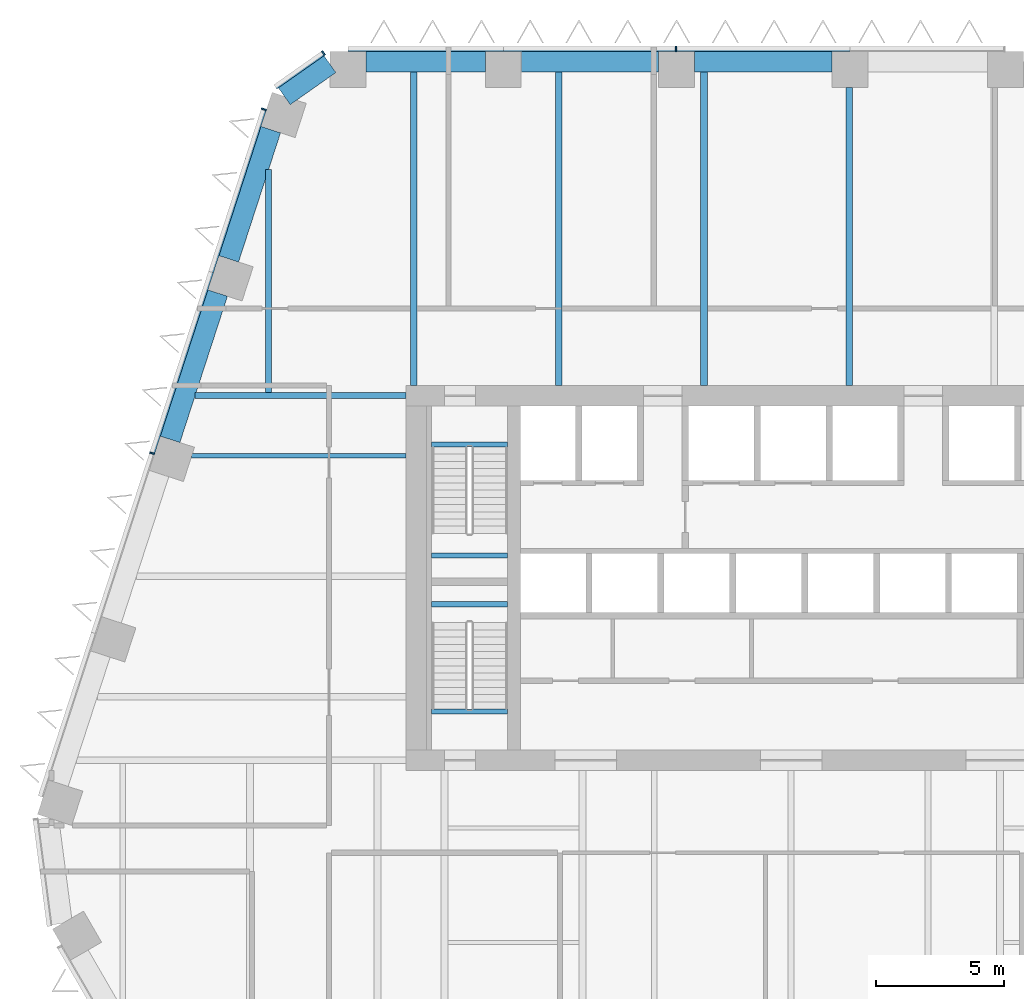
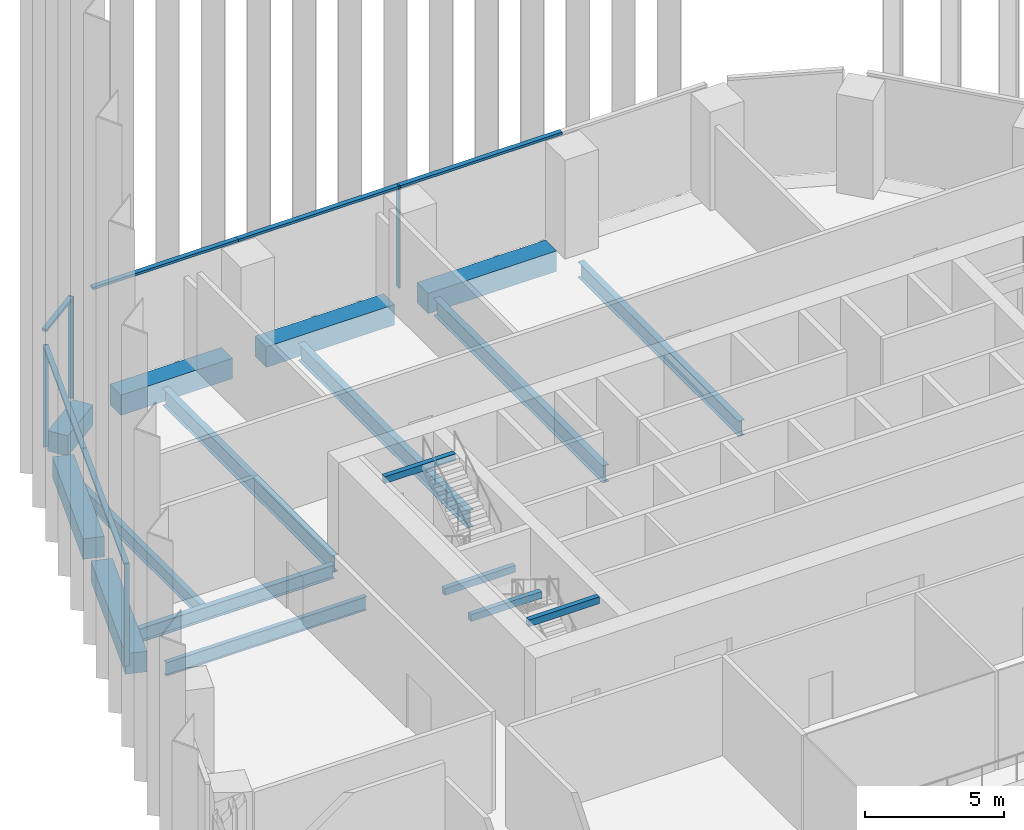
# One storey, part 7 of 18: 17 beams, 10 members, 3 elements without a shape of their own.
"""IFC4 building model written with IfcOpenShell, lengths in metres."""

from ifc_helpers import new_model, si_unit, direction, frame, origin, origin_2d, place, context, subcontext, project, spatial, rectangle, i_section, extrude, material, layer, layer_set, material_profile, profile_set, type_object, element, aggregate, save


model = new_model("IFC4")

# Units and contexts
model_context = context("Model", 3, precision=1e-05, world=origin(), true_north=direction((0.0, 1.0)))
body_context = subcontext(model_context, "Body", "Model", "MODEL_VIEW")
ifc_project = project(units=[si_unit("LENGTHUNIT", "METRE"), si_unit("AREAUNIT", "SQUARE_METRE"), si_unit("VOLUMEUNIT", "CUBIC_METRE"), si_unit("PLANEANGLEUNIT", "RADIAN"), si_unit("MASSUNIT", "GRAM", prefix="KILO")], contexts=[model_context])

# Site, building, storey
site_placement = place(None, origin())
site = spatial("IfcSite", under=ifc_project, at=site_placement, CompositionType="ELEMENT")
building_placement = place(site_placement, origin())
building = spatial("IfcBuilding", under=site, at=building_placement, Name="Isthmus Gate Tower", CompositionType="ELEMENT")
storey_placement = place(building_placement, frame((0.0, 0.0, 166.300048828125)))
storey = spatial("IfcBuildingStorey", under=building, at=storey_placement, Name="L41", CompositionType="ELEMENT", Elevation=166.300048828125)

# Curtain wall, member
ifc_material_1 = material(Name="Aluminium, pale champagne anodised", Category="aluminium")
ifc_layer = layer(ifc_material_1, 0.199951171875)
ifc_layer_set = layer_set([ifc_layer], Name="CW-2 LOUVRE CURTAIN WALL 200 DEEP")
curtain_wall_type = type_object("IfcCurtainWallType", Name="CW-2 LOUVRE CURTAIN WALL 200 DEEP", PredefinedType="NOTDEFINED", material=ifc_layer_set)
curtain_wall_1_placement = place(storey_placement, origin())
curtain_wall_1 = element("IfcCurtainWall", 1, at=curtain_wall_1_placement, inside=storey, type_object=curtain_wall_type, Name="CW-2 N L41", PredefinedType="NOTDEFINED")
ifc_material_2 = material(Name="Aluminium, pale champagne anodised", Category="aluminium")
ifc_material_profile_1 = material_profile(ifc_material_2, rectangle(XDim=0.06005859375, YDim=0.199951171875, at=origin_2d()), Name="60x200")
ifc_profile_set_1 = profile_set([ifc_material_profile_1], Name="Aluminium, pale champagne anodised")
member_type_1 = type_object("IfcMemberType", Name="CW-2 MULLION 60 X 200", PredefinedType="MULLION", material=ifc_profile_set_1)
member_1_placement = place(storey_placement, frame((-4.49169921875, 28.10009765625, 0.0), z_axis=(0.0, 0.0, 1.0), x_axis=(-1.0, 0.0, 0.0)))
member_1 = element("IfcMember", 2, at=member_1_placement, type_object=member_type_1, Name="CW-2 mullion", PredefinedType="MULLION", context=body_context, shape_type="SweptSolid", body=[
    extrude(rectangle(XDim=0.06005859375, YDim=0.199951171875, at=origin_2d()), origin(), (0.0, 0.0, 1.0), 4.5),
])

curtain_wall_2_placement = place(storey_placement, origin())
curtain_wall_2 = element("IfcCurtainWall", 3, at=curtain_wall_2_placement, inside=storey, type_object=curtain_wall_type, Name="CW-2 N-NW L41", PredefinedType="NOTDEFINED")
member_2_placement = place(storey_placement, frame((-18.216552734375, 27.943115234375, 0.0), z_axis=(0.0, 0.0, 1.0), x_axis=(-0.81785959165, -0.57541783805, 0.0)))
member_2 = element("IfcMember", 4, at=member_2_placement, type_object=member_type_1, Name="CW-2 mullion", PredefinedType="MULLION", context=body_context, shape_type="SweptSolid", body=[
    extrude(rectangle(XDim=0.06005859375, YDim=0.199951171875, at=origin_2d()), origin(), (0.0, 0.0, 1.0), 4.5),
])

# Curtain wall, members
curtain_wall_3_placement = place(storey_placement, origin())
curtain_wall_3 = element("IfcCurtainWall", 5, at=curtain_wall_3_placement, inside=storey, type_object=curtain_wall_type, Name="CW-2 NW L41", PredefinedType="NOTDEFINED")
member_3_placement = place(storey_placement, frame((-20.53564453125, 25.75146484375, 0.0), z_axis=(0.0, 0.0, 1.0), x_axis=(-0.309016994375, -0.951056516295, 0.0)))
member_3 = element("IfcMember", 6, at=member_3_placement, type_object=member_type_1, Name="CW-2 mullion", PredefinedType="MULLION", context=body_context, shape_type="SweptSolid", body=[
    extrude(rectangle(XDim=0.06005859375, YDim=0.199951171875, at=origin_2d()), origin(), (0.0, 0.0, 1.0), 4.5),
])
member_4_placement = place(storey_placement, frame((-24.886962890625, 12.359130859375, 0.0), z_axis=(0.0, 0.0, 1.0), x_axis=(-0.309016994375, -0.951056516295, 0.0)))
member_4 = element("IfcMember", 7, at=member_4_placement, type_object=member_type_1, Name="CW-2 mullion", PredefinedType="MULLION", context=body_context, shape_type="SweptSolid", body=[
    extrude(rectangle(XDim=0.06005859375, YDim=0.199951171875, at=origin_2d()), origin(), (0.0, 0.0, 1.0), 4.5),
])

# Member
ifc_material_3 = material(Name="Aluminium, pale champagne anodised", Category="aluminium")
ifc_material_profile_2 = material_profile(ifc_material_3, rectangle(XDim=0.199951171875, YDim=0.110107421875, at=origin_2d()), Name="200x110")
ifc_profile_set_2 = profile_set([ifc_material_profile_2], Name="Aluminium, pale champagne anodised")
member_type_2 = type_object("IfcMemberType", Name="CW-2 TRANSOM 200 X 110", PredefinedType="USERDEFINED", material=ifc_profile_set_2)
member_5_placement = place(storey_placement, frame((2.288330078125, 28.10009765625, 4.445068359375), z_axis=(-1.0, 0.0, 0.0), x_axis=(0.0, -1.0, 0.0)))
member_5 = element("IfcMember", 8, at=member_5_placement, type_object=member_type_2, Name="CW-2 transom", ObjectType="TRANSOM", PredefinedType="USERDEFINED", context=body_context, shape_type="SweptSolid", body=[
    extrude(rectangle(XDim=0.199951171875, YDim=0.110107421875, at=origin_2d()), origin(), (0.0, 0.0, 1.0), 6.75),
])

member_6_placement = place(storey_placement, frame((-4.521728515625, 28.10009765625, 4.445068359375), z_axis=(-1.0, 0.0, 0.0), x_axis=(0.0, -1.0, 0.0)))
member_6 = element("IfcMember", 9, at=member_6_placement, type_object=member_type_2, Name="CW-2 transom", ObjectType="TRANSOM", PredefinedType="USERDEFINED", context=body_context, shape_type="SweptSolid", body=[
    extrude(rectangle(XDim=0.199951171875, YDim=0.110107421875, at=origin_2d()), origin(), (0.0, 0.0, 1.0), 6.690185546875),
])

member_7_placement = place(storey_placement, frame((-11.2119140625, 28.10009765625, 4.445068359375), z_axis=(-1.0, 0.0, 0.0), x_axis=(0.0, -1.0, 0.0)))
member_7 = element("IfcMember", 10, at=member_7_placement, type_object=member_type_2, Name="CW-2 transom", ObjectType="TRANSOM", PredefinedType="USERDEFINED", context=body_context, shape_type="SweptSolid", body=[
    extrude(rectangle(XDim=0.199951171875, YDim=0.110107421875, at=origin_2d()), origin(), (0.0, 0.0, 1.0), 6.050048828125),
])

aggregate(curtain_wall_1, [member_5, member_1, member_6, member_7])

member_8_placement = place(storey_placement, frame((-18.2412109375, 27.92578125, 4.445068359375), z_axis=(-0.817868595604, -0.575405040233, 0.0), x_axis=(0.575405040233, -0.817868595604, 0.0)))
member_8 = element("IfcMember", 11, at=member_8_placement, type_object=member_type_2, Name="CW-2 transom", ObjectType="TRANSOM", PredefinedType="USERDEFINED", context=body_context, shape_type="SweptSolid", body=[
    extrude(rectangle(XDim=0.199951171875, YDim=0.110107421875, at=origin_2d()), origin(), (0.0, 0.0, 1.0), 2.258544921875),
])

aggregate(curtain_wall_2, [member_2, member_8])

member_9_placement = place(storey_placement, frame((-20.544921875, 25.72314453125, 4.445068359375), z_axis=(-0.30898366881, -0.951067343782, 0.0), x_axis=(0.951067343782, -0.30898366881, 0.0)))
member_9 = element("IfcMember", 12, at=member_9_placement, type_object=member_type_2, Name="CW-2 transom", ObjectType="TRANSOM", PredefinedType="USERDEFINED", context=body_context, shape_type="SweptSolid", body=[
    extrude(rectangle(XDim=0.199951171875, YDim=0.110107421875, at=origin_2d()), origin(), (0.0, 0.0, 1.0), 6.630859375),
])

member_10_placement = place(storey_placement, frame((-22.59375, 19.416748046875, 4.445068359375), z_axis=(-0.309024076379, -0.951054215183, 0.0), x_axis=(0.951054215183, -0.309024076379, 0.0)))
member_10 = element("IfcMember", 13, at=member_10_placement, type_object=member_type_2, Name="CW-2 transom", ObjectType="TRANSOM", PredefinedType="USERDEFINED", context=body_context, shape_type="SweptSolid", body=[
    extrude(rectangle(XDim=0.199951171875, YDim=0.110107421875, at=origin_2d()), origin(), (0.0, 0.0, 1.0), 7.390869140625),
])

aggregate(curtain_wall_3, [member_3, member_9, member_10, member_4])

# Beams
ifc_material_4 = material(Name="Concrete f'c 60 MPa", Category="concrete")
ifc_material_profile_3 = material_profile(ifc_material_4, rectangle(XDim=0.800048828125, YDim=0.89990234375, at=origin_2d()), Name="RC 800X900")
ifc_profile_set_3 = profile_set([ifc_material_profile_3], Name="Concrete f'c 60 MPa")
beam_type_1 = type_object("IfcBeamType", Name="RC SPANDREL 800 X 900", PredefinedType="SPANDREL", material=ifc_profile_set_3)
beam_1_placement = place(storey_placement, frame((-24.185791015625, 12.89892578125, -0.449951171875), z_axis=(0.308992998998, 0.951064312531, 0.0), x_axis=(-0.951064312531, 0.308992998998, 0.0)))
element("IfcBeam", 14, at=beam_1_placement, inside=storey, type_object=beam_type_1, Name="str-spandrel-L41-23", PredefinedType="SPANDREL", context=body_context, shape_type="SweptSolid", body=[
    extrude(rectangle(XDim=0.800048828125, YDim=0.89990234375, at=origin_2d()), origin(), (0.0, 0.0, 1.0), 5.99072265625),
])
beam_2_placement = place(storey_placement, frame((-21.902099609375, 19.927978515625, -0.449951171875), z_axis=(0.309020339202, 0.951055429489, 0.0), x_axis=(-0.951055429489, 0.309020339202, 0.0)))
element("IfcBeam", 15, at=beam_2_placement, inside=storey, type_object=beam_type_1, Name="str-spandrel-L41-24", PredefinedType="SPANDREL", context=body_context, shape_type="SweptSolid", body=[
    extrude(rectangle(XDim=0.800048828125, YDim=0.89990234375, at=origin_2d()), origin(), (0.0, 0.0, 1.0), 5.291015625),
])
beam_3_placement = place(storey_placement, frame((-19.7392578125, 26.260498046875, -0.449951171875), z_axis=(0.817857331203, 0.575421050882, 0.0), x_axis=(-0.575421050882, 0.817857331203, 0.0)))
element("IfcBeam", 16, at=beam_3_placement, inside=storey, type_object=beam_type_1, Name="str-spandrel-L41-25", PredefinedType="SPANDREL", context=body_context, shape_type="SweptSolid", body=[
    extrude(rectangle(XDim=0.800048828125, YDim=0.89990234375, at=origin_2d()), origin(), (0.0, 0.0, 1.0), 2.173095703125),
])
beam_4_placement = place(storey_placement, frame((-16.56201171875, 27.60009765625, -0.449951171875), z_axis=(1.0, 0.0, 0.0), x_axis=(0.0, 1.0, 0.0)))
element("IfcBeam", 17, at=beam_4_placement, inside=storey, type_object=beam_type_1, Name="str-spandrel-L41-26", PredefinedType="SPANDREL", context=body_context, shape_type="SweptSolid", body=[
    extrude(rectangle(XDim=0.800048828125, YDim=0.89990234375, at=origin_2d()), origin(), (0.0, 0.0, 1.0), 4.650146484375),
])
for number, where, z_axis, x_axis, name in (
    (18, (-10.51171875, 27.60009765625, -0.449951171875), (1.0, 0.0, 0.0), (0.0, 1.0, 0.0), "str-spandrel-L41-27"),
    (19, (-3.76171875, 27.60009765625, -0.449951171875), (1.0, 0.0, 0.0), (0.0, 1.0, 0.0), "str-spandrel-L41-28"),
):
    element("IfcBeam", number, at=place(storey_placement, frame(where, z_axis=z_axis, x_axis=x_axis)), inside=storey, type_object=beam_type_1, Name=name, PredefinedType="SPANDREL", context=body_context, shape_type="SweptSolid", body=[
        extrude(rectangle(XDim=0.800048828125, YDim=0.89990234375, at=origin_2d()), origin(), (0.0, 0.0, 1.0), 5.35009765625),
    ])
ifc_material_5 = material(Name="Concrete f'c 40 MPa", Category="concrete")
ifc_material_profile_4 = material_profile(ifc_material_5, rectangle(XDim=0.199951171875, YDim=0.300048828125, at=origin_2d()), Name="STAIR LANDING BEAM RC 200 X 300")
ifc_profile_set_4 = profile_set([ifc_material_profile_4], Name="Concrete f'c 40 MPa")
beam_type_2 = type_object("IfcBeamType", Name="STAIR LANDING BEAM RC 200 X 300", PredefinedType="BEAM", material=ifc_profile_set_4)
for number, where, z_axis, x_axis, name in (
    (20, (-14.0, 8.3701171875, 1.89990234375), (1.0, 0.0, 0.0), (0.0, 1.0, 0.0), "L41 ST1 landing beam 1"),
    (21, (-14.0, 12.7001953125, 4.199951171875), (1.0, 0.0, 0.0), (0.0, 1.0, 0.0), "L41 ST1 floor-edge seat beam"),
    (22, (-14.0, 6.47998046875, 1.89990234375), (1.0, 0.0, 0.0), (0.0, 1.0, 0.0), "L41 ST7 landing beam 1"),
    (23, (-14.0, 2.2998046875, 4.199951171875), (1.0, 0.0, 0.0), (0.0, 1.0, 0.0), "L41 ST7 floor-edge seat beam"),
):
    element("IfcBeam", number, at=place(storey_placement, frame(where, z_axis=z_axis, x_axis=x_axis)), inside=storey, type_object=beam_type_2, Name=name, PredefinedType="BEAM", context=body_context, shape_type="SweptSolid", body=[
        extrude(rectangle(XDim=0.199951171875, YDim=0.300048828125, at=origin_2d()), origin(), (0.0, 0.0, 1.0), 2.949951171875),
    ])
ifc_material_6 = material(Name="Structural steel ASTM A992 Gr 50", Category="steel")
ifc_material_profile_5 = material_profile(ifc_material_6, i_section(OverallWidth=0.177734375, OverallDepth=0.60009765625, WebThickness=0.009521484375, FlangeThickness=0.0126953125, at=origin_2d()), Name="W24X55")
ifc_profile_set_5 = profile_set([ifc_material_profile_5], Name="Structural steel ASTM A992 Gr 50")
beam_type_3 = type_object("IfcBeamType", Name="STEEL FLOOR BEAM W24X55", PredefinedType="JOIST", material=ifc_profile_set_5)
beam_5_placement = place(storey_placement, frame((-23.343505859375, 12.25537109375, -0.60009765625), z_axis=(1.0, 0.0, 0.0), x_axis=(0.0, 1.0, 0.0)))
element("IfcBeam", 24, at=beam_5_placement, inside=storey, type_object=beam_type_3, Name="str-beam-L41-01-02", PredefinedType="JOIST", context=body_context, shape_type="SweptSolid", body=[
    extrude(i_section(OverallWidth=0.177734375, OverallDepth=0.60009765625, WebThickness=0.009521484375, FlangeThickness=0.0126953125, at=origin_2d()), origin(), (0.0, 0.0, 1.0), 8.343505859375),
])
ifc_material_7 = material(Name="Structural steel ASTM A992 Gr 50", Category="steel")
ifc_material_profile_6 = material_profile(ifc_material_7, i_section(OverallWidth=0.228515625, OverallDepth=0.603271484375, WebThickness=0.010986328125, FlangeThickness=0.014404296875, at=origin_2d()), Name="W24X68")
ifc_profile_set_6 = profile_set([ifc_material_profile_6], Name="Structural steel ASTM A992 Gr 50")
beam_type_4 = type_object("IfcBeamType", Name="STEEL FLOOR BEAM W24X68", PredefinedType="JOIST", material=ifc_profile_set_6)
beam_6_placement = place(storey_placement, frame((-20.35009765625, 14.71435546875, -0.6015625), z_axis=(0.0, 1.0, 0.0), x_axis=(-1.0, 0.0, 0.0)))
element("IfcBeam", 25, at=beam_6_placement, inside=storey, type_object=beam_type_4, Name="str-beam-L41-05-00", PredefinedType="JOIST", context=body_context, shape_type="SweptSolid", body=[
    extrude(i_section(OverallWidth=0.228515625, OverallDepth=0.603271484375, WebThickness=0.010986328125, FlangeThickness=0.014404296875, at=origin_2d()), origin(), (0.0, 0.0, 1.0), 8.6953125),
])
ifc_material_8 = material(Name="Structural steel ASTM A992 Gr 50", Category="steel")
ifc_material_profile_7 = material_profile(ifc_material_8, i_section(OverallWidth=0.25390625, OverallDepth=0.679443359375, WebThickness=0.010986328125, FlangeThickness=0.015869140625, at=origin_2d()), Name="W27X84")
ifc_profile_set_7 = profile_set([ifc_material_profile_7], Name="Structural steel ASTM A992 Gr 50")
beam_type_5 = type_object("IfcBeamType", Name="STEEL FLOOR BEAM W27X84", PredefinedType="JOIST", material=ifc_profile_set_7)
beam_7_placement = place(storey_placement, frame((2.25244140625, 15.0, -0.6396484375), z_axis=(0.0, 1.0, 0.0), x_axis=(-1.0, 0.0, 0.0)))
element("IfcBeam", 26, at=beam_7_placement, inside=storey, type_object=beam_type_5, Name="str-beam-L41-05-04", PredefinedType="JOIST", context=body_context, shape_type="SweptSolid", body=[
    extrude(i_section(OverallWidth=0.25390625, OverallDepth=0.679443359375, WebThickness=0.010986328125, FlangeThickness=0.015869140625, at=origin_2d()), origin(), (0.0, 0.0, 1.0), 11.60009765625),
])
ifc_material_9 = material(Name="Structural steel ASTM A992 Gr 50", Category="steel")
ifc_material_profile_8 = material_profile(ifc_material_9, i_section(OverallWidth=0.263427734375, OverallDepth=0.749267578125, WebThickness=0.0126953125, FlangeThickness=0.015869140625, at=origin_2d()), Name="W30X90")
ifc_profile_set_8 = profile_set([ifc_material_profile_8], Name="Structural steel ASTM A992 Gr 50")
beam_type_6 = type_object("IfcBeamType", Name="STEEL FLOOR BEAM W30X90", PredefinedType="JOIST", material=ifc_profile_set_8)
for number, where, z_axis, x_axis, name in (
    (27, (-14.699462890625, 15.0, -0.6748046875), (0.0, 1.0, 0.0), (-1.0, 0.0, 0.0), "str-beam-L41-05-01"),
    (28, (-9.048828125, 15.0, -0.6748046875), (0.0, 1.0, 0.0), (-1.0, 0.0, 0.0), "str-beam-L41-05-02"),
    (29, (-3.398193359375, 15.0, -0.6748046875), (0.0, 1.0, 0.0), (-1.0, 0.0, 0.0), "str-beam-L41-05-03"),
):
    element("IfcBeam", number, at=place(storey_placement, frame(where, z_axis=z_axis, x_axis=x_axis)), inside=storey, type_object=beam_type_6, Name=name, PredefinedType="JOIST", context=body_context, shape_type="SweptSolid", body=[
        extrude(i_section(OverallWidth=0.263427734375, OverallDepth=0.749267578125, WebThickness=0.0126953125, FlangeThickness=0.015869140625, at=origin_2d()), origin(), (0.0, 0.0, 1.0), 12.199951171875),
    ])
ifc_material_10 = material(Name="Structural steel ASTM A992 Gr 50", Category="steel")
ifc_material_profile_9 = material_profile(ifc_material_10, i_section(OverallWidth=0.228515625, OverallDepth=0.6064453125, WebThickness=0.010986328125, FlangeThickness=0.017578125, at=origin_2d()), Name="W24X76")
ifc_profile_set_9 = profile_set([ifc_material_profile_9], Name="Structural steel ASTM A992 Gr 50")
beam_type_7 = type_object("IfcBeamType", Name="STEEL GIRDER W24X76", PredefinedType="BEAM", material=ifc_profile_set_9)
beam_8_placement = place(storey_placement, frame((-15.0, 14.60009765625, -0.603271484375), z_axis=(-1.0, 0.0, 0.0), x_axis=(0.0, -1.0, 0.0)))
element("IfcBeam", 30, at=beam_8_placement, inside=storey, type_object=beam_type_7, Name="str-girder-L41-15", PredefinedType="BEAM", context=body_context, shape_type="SweptSolid", body=[
    extrude(i_section(OverallWidth=0.228515625, OverallDepth=0.6064453125, WebThickness=0.010986328125, FlangeThickness=0.017578125, at=origin_2d()), origin(), (0.0, 0.0, 1.0), 8.212646484375),
])

save(model, "model.ifc")
